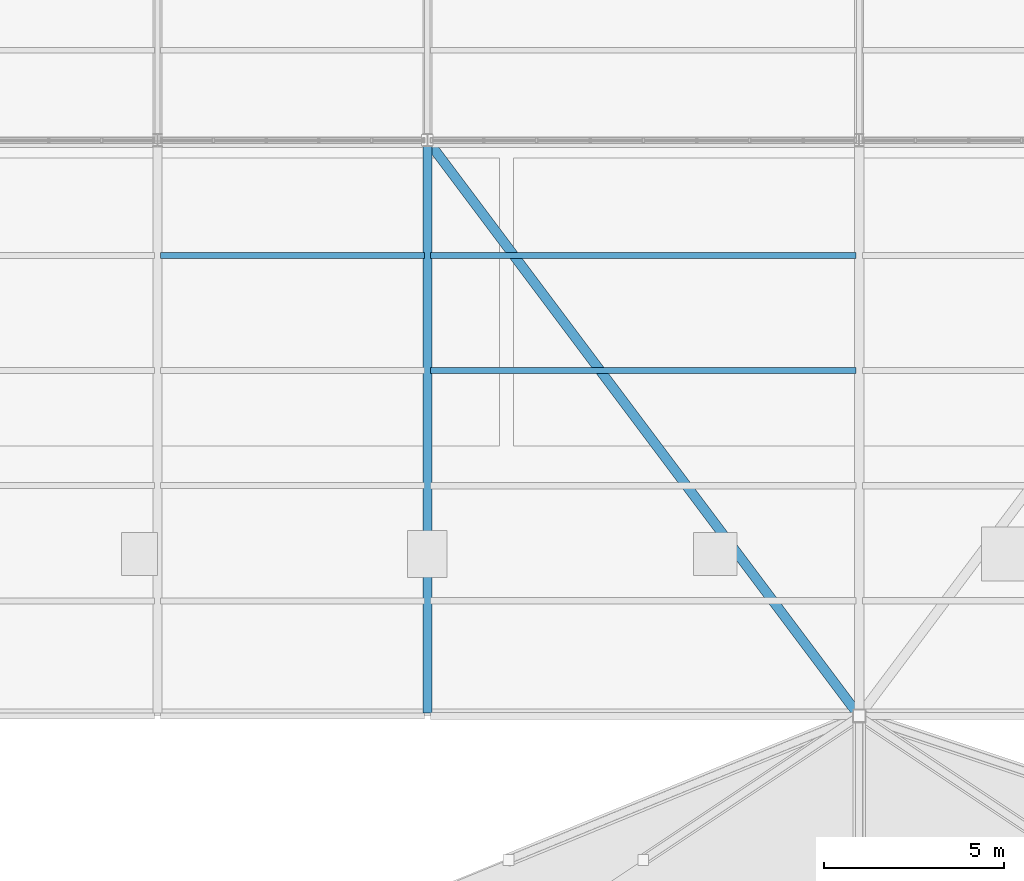
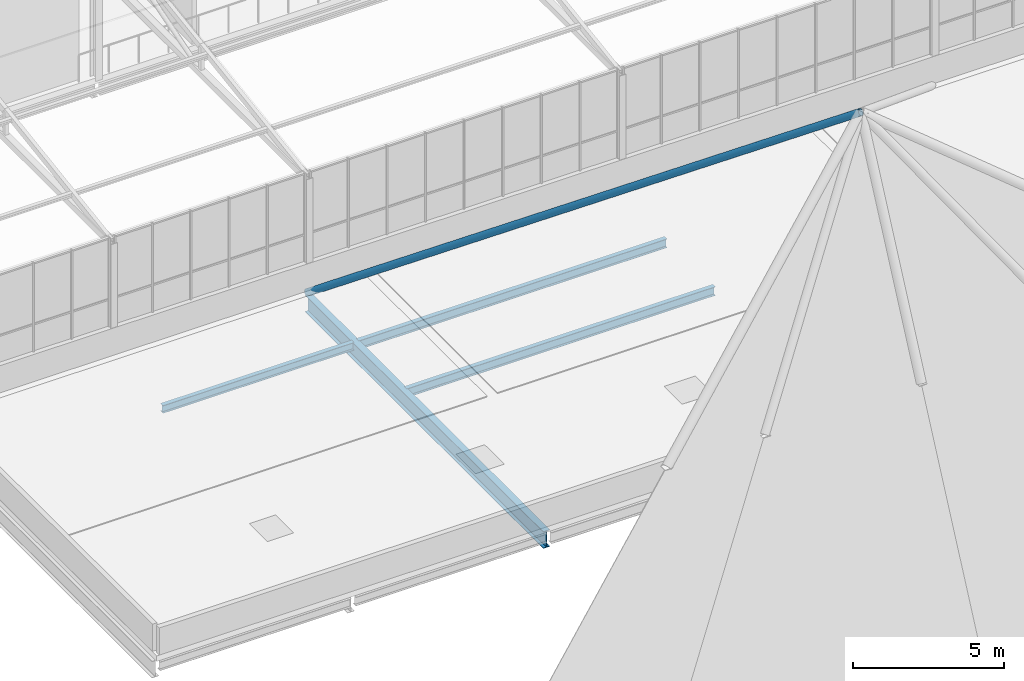
# One storey, part 49 of 104: 4 beams, 1 member.
"""IFC4 building model written with IfcOpenShell, lengths in metres."""

from ifc_helpers import new_model, si_unit, direction, frame, origin, origin_2d, place, context, subcontext, project, spatial, hollow_circle, i_section, extrude, material, material_profile, profile_set, type_object, element, save


model = new_model("IFC4")

# Units and contexts
model_context = context("Model", 3, precision=1e-05, world=origin(), true_north=direction((0.0, 1.0)))
body_context = subcontext(model_context, "Body", "Model", "MODEL_VIEW")
ifc_project = project(units=[si_unit("LENGTHUNIT", "METRE"), si_unit("AREAUNIT", "SQUARE_METRE"), si_unit("VOLUMEUNIT", "CUBIC_METRE"), si_unit("PLANEANGLEUNIT", "RADIAN"), si_unit("MASSUNIT", "GRAM", prefix="KILO")], contexts=[model_context])

# Site, building, storey
site_placement = place(None, origin())
site = spatial("IfcSite", under=ifc_project, at=site_placement, CompositionType="ELEMENT")
building_placement = place(site_placement, origin())
building = spatial("IfcBuilding", under=site, at=building_placement, Name="Solvenia Promenade Tram Depot", CompositionType="ELEMENT")
storey_placement = place(building_placement, frame((0.0, 0.0, 9.0)))
storey = spatial("IfcBuildingStorey", under=building, at=storey_placement, Name="L02", CompositionType="ELEMENT", Elevation=9.0)

# Member
ifc_material_1 = material(Name="Structural steel ASTM A500 Gr. C", Category="steel")
ifc_material_profile_1 = material_profile(ifc_material_1, hollow_circle(Radius=0.136474609375, WallThickness=0.010009765625, at=origin_2d()), Name="CHS273.0x10", Category="steel")
ifc_profile_set_1 = profile_set([ifc_material_profile_1], Name="Structural steel ASTM A500 Gr. C")
member_type = type_object("IfcMemberType", Name="Brace-CHS273x10", PredefinedType="BRACE", material=ifc_profile_set_1)
member_placement = place(storey_placement, frame((150.0, 24.0, -0.219970703125), z_axis=(0.505132583479, -0.673510111305, 0.539652854229), x_axis=(0.8, 0.6, 0.0)))
element("IfcMember", 1, at=member_placement, inside=storey, type_object=member_type, Name="Entrance Sail Rear Back-Stay 1", PredefinedType="BRACE", context=body_context, shape_type="SweptSolid", body=[
    extrude(hollow_circle(Radius=0.136474609375, WallThickness=0.010009765625, at=origin_2d()), origin(), (0.0, 0.0, 1.0), 23.756103515625),
])

# Beams
ifc_material_2 = material(Name="Structural steel ASTM A992 Gr. 50", Category="steel")
ifc_material_profile_2 = material_profile(ifc_material_2, i_section(OverallWidth=0.25390625, OverallDepth=0.68408203125, WebThickness=0.012451171875, FlangeThickness=0.018798828125, FilletRadius=0.01611328125, at=origin_2d()), Name="W690x140", Category="steel")
ifc_profile_set_2 = profile_set([ifc_material_profile_2], Name="Structural steel ASTM A992 Gr. 50")
beam_type_1 = type_object("IfcBeamType", Name="Gird-W690x140", PredefinedType="BEAM", material=ifc_profile_set_2)
beam_1_placement = place(storey_placement, frame((150.0, 8.0849609375, -0.56201171875), z_axis=(0.0, 1.0, 0.0), x_axis=(-1.0, 0.0, 0.0)))
element("IfcBeam", 2, at=beam_1_placement, inside=storey, type_object=beam_type_1, Name="Transverse Girder BM-L02-0799", PredefinedType="BEAM", context=body_context, shape_type="SweptSolid", body=[
    extrude(i_section(OverallWidth=0.25390625, OverallDepth=0.68408203125, WebThickness=0.012451171875, FlangeThickness=0.018798828125, FilletRadius=0.01611328125, at=origin_2d()), origin(), (0.0, 0.0, 1.0), 15.830078125),
])
ifc_material_profile_3 = material_profile(ifc_material_2, i_section(OverallWidth=0.166015625, OverallDepth=0.31298828125, WebThickness=0.006591796875, FlangeThickness=0.01123046875, FilletRadius=0.010009765625, at=origin_2d()), Name="W310x45", Category="steel")
ifc_profile_set_3 = profile_set([ifc_material_profile_3], Name="Structural steel ASTM A992 Gr. 50")
beam_type_2 = type_object("IfcBeamType", Name="Joist-W310x45", PredefinedType="JOIST", material=ifc_profile_set_3)
beam_2_placement = place(storey_placement, frame((142.5849609375, 20.800048828125, -0.37646484375), z_axis=(1.0, 0.0, 0.0), x_axis=(0.0, 1.0, 0.0)))
element("IfcBeam", 3, at=beam_2_placement, inside=storey, type_object=beam_type_2, Name="Secondary Floor Joist BM-L02-0810", PredefinedType="JOIST", context=body_context, shape_type="SweptSolid", body=[
    extrude(i_section(OverallWidth=0.166015625, OverallDepth=0.31298828125, WebThickness=0.006591796875, FlangeThickness=0.01123046875, FilletRadius=0.010009765625, at=origin_2d()), origin(), (0.0, 0.0, 1.0), 7.330078125),
])
ifc_material_profile_4 = material_profile(ifc_material_2, i_section(OverallWidth=0.172119140625, OverallDepth=0.35791015625, WebThickness=0.0078125, FlangeThickness=0.01318359375, FilletRadius=0.010986328125, at=origin_2d()), Name="W360x57", Category="steel")
ifc_profile_set_4 = profile_set([ifc_material_profile_4], Name="Structural steel ASTM A992 Gr. 50")
beam_type_3 = type_object("IfcBeamType", Name="Joist-W360x57", PredefinedType="JOIST", material=ifc_profile_set_4)
for number, where, z_axis, x_axis, name in (
    (4, (150.0849609375, 17.60009765625, -0.39892578125), (1.0, 0.0, 0.0), (0.0, 1.0, 0.0), "Secondary Floor Joist BM-L02-0813"),
    (5, (150.0849609375, 20.800048828125, -0.39892578125), (1.0, 0.0, 0.0), (0.0, 1.0, 0.0), "Secondary Floor Joist BM-L02-0814"),
):
    element("IfcBeam", number, at=place(storey_placement, frame(where, z_axis=z_axis, x_axis=x_axis)), inside=storey, type_object=beam_type_3, Name=name, PredefinedType="JOIST", context=body_context, shape_type="SweptSolid", body=[
        extrude(i_section(OverallWidth=0.172119140625, OverallDepth=0.35791015625, WebThickness=0.0078125, FlangeThickness=0.01318359375, FilletRadius=0.010986328125, at=origin_2d()), origin(), (0.0, 0.0, 1.0), 11.830078125),
    ])

save(model, "model.ifc")
